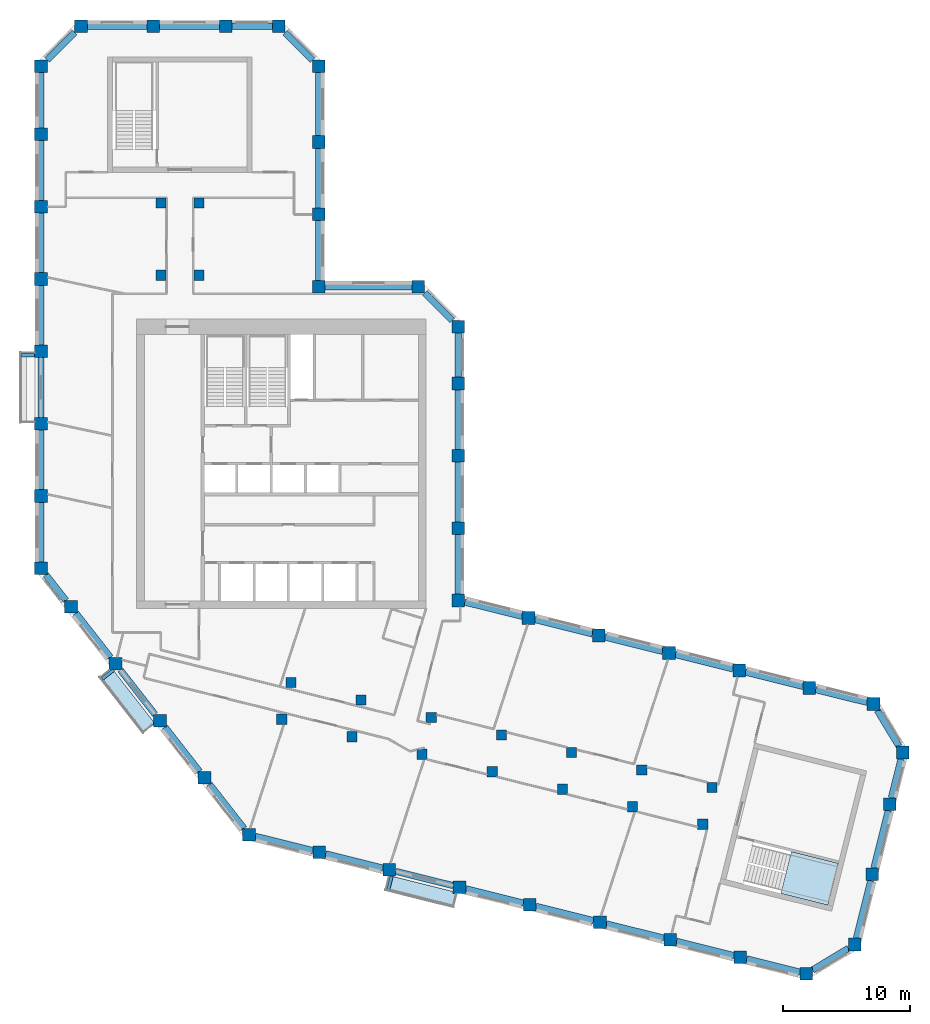
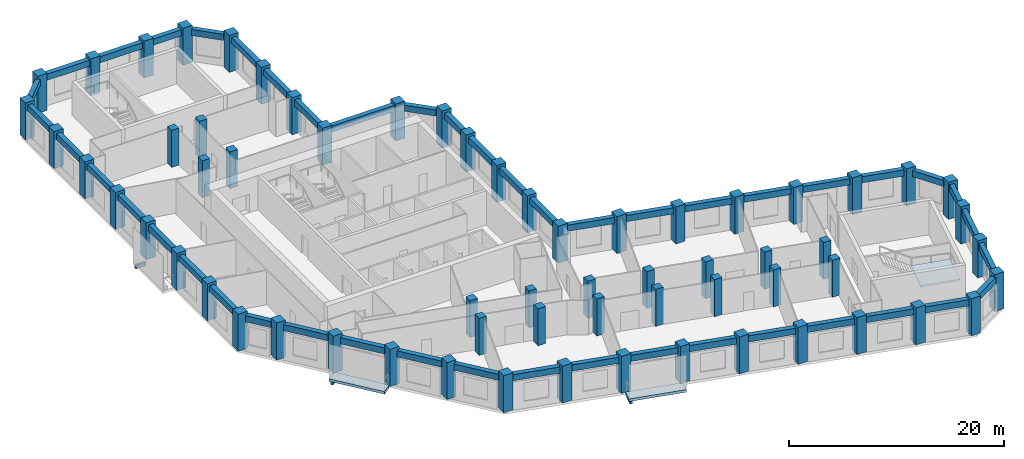
# One storey, part 1 of 9: 63 columns, 48 beams, 3 slabs, 1 element without a shape of its own.
"""IFC4 building model written with IfcOpenShell, lengths in metres."""

from ifc_helpers import new_model, si_unit, direction, frame, origin, origin_2d, place, context, subcontext, project, spatial, polyline, rectangle, outline, extrude, material, layer, layer_set, material_profile, profile_set, type_object, element, aggregate, save


model = new_model("IFC4")

# Units and contexts
model_context = context("Model", 3, precision=1e-05, world=origin(), true_north=direction((0.0, 1.0)))
body_context = subcontext(model_context, "Body", "Model", "MODEL_VIEW")
ifc_project = project(units=[si_unit("LENGTHUNIT", "METRE"), si_unit("AREAUNIT", "SQUARE_METRE"), si_unit("VOLUMEUNIT", "CUBIC_METRE"), si_unit("PLANEANGLEUNIT", "RADIAN"), si_unit("MASSUNIT", "GRAM", prefix="KILO")], contexts=[model_context])

# Site, building, storey
site_placement = place(None, origin())
site = spatial("IfcSite", under=ifc_project, at=site_placement, CompositionType="ELEMENT")
building_placement = place(site_placement, origin())
building = spatial("IfcBuilding", under=site, at=building_placement, Name="Meshkara Civic Tower", CompositionType="ELEMENT")
storey_placement = place(building_placement, frame((0.0, 0.0, 331.800048828125)))
storey = spatial("IfcBuildingStorey", under=building, at=storey_placement, Name="L76", CompositionType="ELEMENT", Elevation=331.800048828125)

# Columns
ifc_material_1 = material(Name="Concrete C60", Category="concrete")
ifc_material_profile_1 = material_profile(ifc_material_1, rectangle(XDim=0.800048828125, YDim=0.800048828125, at=origin_2d()))
ifc_profile_set_1 = profile_set([ifc_material_profile_1], Name="Concrete C60")
column_type_1 = type_object("IfcColumnType", Name="Interior column RC 800x800 C60", PredefinedType="COLUMN", material=ifc_profile_set_1)
for number, where, z_axis, x_axis, name in (
    (1, (9.89990234375, 40.35009765625, 0.0), (0.0, 0.0, 1.0), (1.0, 0.0, 0.0), "Column SA1-04 L76"),
    (2, (9.89990234375, 46.050048828125, 0.0), (0.0, 0.0, 1.0), (1.0, 0.0, 0.0), "Column SA1-05 L76"),
    (3, (12.89990234375, 40.35009765625, 0.0), (0.0, 0.0, 1.0), (1.0, 0.0, 0.0), "Column SA2-04 L76"),
    (4, (12.89990234375, 46.050048828125, 0.0), (0.0, 0.0, 1.0), (1.0, 0.0, 0.0), "Column SA2-05 L76"),
    (5, (19.424072265625, 5.360107421875, 0.0), (0.0, 0.0, 1.0), (1.0, 0.0, 0.0), "Column SB1-00 L76"),
    (6, (24.9541015625, 3.98095703125, 0.0), (0.0, 0.0, 1.0), (1.0, 0.0, 0.0), "Column SB1-01 L76"),
    (7, (30.485107421875, 2.60205078125, 0.0), (0.0, 0.0, 1.0), (1.0, 0.0, 0.0), "Column SB1-02 L76"),
    (8, (36.01611328125, 1.222900390625, 0.0), (0.0, 0.0, 1.0), (1.0, 0.0, 0.0), "Column SB1-03 L76"),
    (9, (41.5458984375, -0.156005859375, 0.0), (0.0, 0.0, 1.0), (1.0, 0.0, 0.0), "Column SB1-04 L76"),
    (10, (47.076904296875, -1.534912109375, 0.0), (0.0, 0.0, 1.0), (1.0, 0.0, 0.0), "Column SB1-05 L76"),
    (11, (52.60791015625, -2.9140625, 0.0), (0.0, 0.0, 1.0), (1.0, 0.0, 0.0), "Column SB1-06 L76"),
    (12, (20.14892578125, 8.27099609375, 0.0), (0.0, 0.0, 1.0), (1.0, 0.0, 0.0), "Column SB2-00 L76"),
    (13, (25.679931640625, 6.89208984375, 0.0), (0.0, 0.0, 1.0), (1.0, 0.0, 0.0), "Column SB2-01 L76"),
    (14, (31.2109375, 5.512939453125, 0.0), (0.0, 0.0, 1.0), (1.0, 0.0, 0.0), "Column SB2-02 L76"),
    (15, (36.741943359375, 4.134033203125, 0.0), (0.0, 0.0, 1.0), (1.0, 0.0, 0.0), "Column SB2-03 L76"),
    (16, (42.27197265625, 2.7548828125, 0.0), (0.0, 0.0, 1.0), (1.0, 0.0, 0.0), "Column SB2-04 L76"),
    (17, (47.802978515625, 1.3759765625, 0.0), (0.0, 0.0, 1.0), (1.0, 0.0, 0.0), "Column SB2-05 L76"),
    (18, (53.333984375, -0.0029296875, 0.0), (0.0, 0.0, 1.0), (1.0, 0.0, 0.0), "Column SB2-06 L76"),
):
    element("IfcColumn", number, at=place(storey_placement, frame(where, z_axis=z_axis, x_axis=x_axis)), inside=storey, type_object=column_type_1, Name=name, PredefinedType="COLUMN", context=body_context, shape_type="SweptSolid", body=[
        extrude(rectangle(XDim=0.800048828125, YDim=0.800048828125, at=origin_2d()), origin(), (0.0, 0.0, 1.0), 4.199951171875),
    ])
ifc_material_2 = material(Name="Concrete C60", Category="concrete")
ifc_material_profile_2 = material_profile(ifc_material_2, rectangle(XDim=1.0, YDim=1.0, at=origin_2d()))
ifc_profile_set_2 = profile_set([ifc_material_profile_2], Name="Concrete C60")
column_type_2 = type_object("IfcColumnType", Name="Perimeter column RC 1000x1000 C60", PredefinedType="COLUMN", material=ifc_profile_set_2)
for number, where, z_axis, x_axis, name in (
    (19, (33.35009765625, 14.718994140625, 0.0), (0.0, 0.0, 1.0), (1.0, 0.0, 0.0), "Column HE00 L76"),
    (20, (33.35009765625, 20.4189453125, 0.0), (0.0, 0.0, 1.0), (1.0, 0.0, 0.0), "Column HE01 L76"),
    (21, (33.35009765625, 26.118896484375, 0.0), (0.0, 0.0, 1.0), (1.0, 0.0, 0.0), "Column HE02 L76"),
    (22, (33.35009765625, 31.819091796875, 0.0), (0.0, 0.0, 1.0), (1.0, 0.0, 0.0), "Column HE03 L76"),
    (23, (33.35009765625, 36.2939453125, 0.0), (0.0, 0.0, 1.0), (1.0, 0.0, 0.0), "Column HEE L76"),
    (24, (30.194091796875, 39.449951171875, 0.0), (0.0, 0.0, 1.0), (1.0, 0.0, 0.0), "Column HCeE L76"),
    (25, (22.35009765625, 39.449951171875, 0.0), (0.0, 0.0, 1.0), (1.0, 0.0, 0.0), "Column HN00 L76"),
    (26, (22.35009765625, 45.14990234375, 0.0), (0.0, 0.0, 1.0), (1.0, 0.0, 0.0), "Column AE01 L76"),
    (27, (22.35009765625, 50.85009765625, 0.0), (0.0, 0.0, 1.0), (1.0, 0.0, 0.0), "Column AE02 L76"),
    (28, (22.35009765625, 56.81396484375, 0.0), (0.0, 0.0, 1.0), (1.0, 0.0, 0.0), "Column AEEP4 L76"),
    (29, (19.194091796875, 59.969970703125, 0.0), (0.0, 0.0, 1.0), (1.0, 0.0, 0.0), "Column ATiEP4 L76"),
    (30, (3.60595703125, 59.969970703125, 0.0), (0.0, 0.0, 1.0), (1.0, 0.0, 0.0), "Column AT00-P4 L76"),
    (31, (9.305908203125, 59.969970703125, 0.0), (0.0, 0.0, 1.0), (1.0, 0.0, 0.0), "Column AT01-P4 L76"),
    (32, (15.006103515625, 59.969970703125, 0.0), (0.0, 0.0, 1.0), (1.0, 0.0, 0.0), "Column AT02-P4 L76"),
    (33, (0.449951171875, 56.81396484375, 0.0), (0.0, 0.0, 1.0), (1.0, 0.0, 0.0), "Column ATo00-P4 L76"),
    (34, (0.449951171875, 17.2548828125, 0.0), (0.0, 0.0, 1.0), (1.0, 0.0, 0.0), "Column AW00 L76"),
    (35, (0.449951171875, 22.955078125, 0.0), (0.0, 0.0, 1.0), (1.0, 0.0, 0.0), "Column AW01 L76"),
    (36, (0.449951171875, 28.655029296875, 0.0), (0.0, 0.0, 1.0), (1.0, 0.0, 0.0), "Column AW02 L76"),
    (37, (0.449951171875, 34.35498046875, 0.0), (0.0, 0.0, 1.0), (1.0, 0.0, 0.0), "Column AW03 L76"),
    (38, (0.449951171875, 40.054931640625, 0.0), (0.0, 0.0, 1.0), (1.0, 0.0, 0.0), "Column AW04 L76"),
    (39, (0.449951171875, 45.7548828125, 0.0), (0.0, 0.0, 1.0), (1.0, 0.0, 0.0), "Column AW05 L76"),
    (40, (0.449951171875, 51.455078125, 0.0), (0.0, 0.0, 1.0), (1.0, 0.0, 0.0), "Column AW06 L76"),
    (41, (16.85107421875, -3.738037109375, 0.0), (0.0, 0.0, 1.0), (1.0, 0.0, 0.0), "Column BOW00 L76"),
    (42, (13.342041015625, 0.75390625, 0.0), (0.0, 0.0, 1.0), (1.0, 0.0, 0.0), "Column BOW01 L76"),
    (43, (9.8330078125, 5.2451171875, 0.0), (0.0, 0.0, 1.0), (1.0, 0.0, 0.0), "Column BOW02 L76"),
    (44, (6.322998046875, 9.737060546875, 0.0), (0.0, 0.0, 1.0), (1.0, 0.0, 0.0), "Column BOW03 L76"),
    (45, (2.81396484375, 14.22900390625, 0.0), (0.0, 0.0, 1.0), (1.0, 0.0, 0.0), "Column BOW04 L76"),
    (46, (22.382080078125, -5.116943359375, 0.0), (0.0, 0.0, 1.0), (1.0, 0.0, 0.0), "Column BS01 L76"),
    (47, (27.912109375, -6.49609375, 0.0), (0.0, 0.0, 1.0), (1.0, 0.0, 0.0), "Column BS02 L76"),
    (48, (33.443115234375, -7.875, 0.0), (0.0, 0.0, 1.0), (1.0, 0.0, 0.0), "Column BS03 L76"),
    (49, (38.97412109375, -9.25390625, 0.0), (0.0, 0.0, 1.0), (1.0, 0.0, 0.0), "Column BS04 L76"),
    (50, (44.50390625, -10.633056640625, 0.0), (0.0, 0.0, 1.0), (1.0, 0.0, 0.0), "Column BS05-P4 L76"),
    (51, (50.034912109375, -12.011962890625, 0.0), (0.0, 0.0, 1.0), (1.0, 0.0, 0.0), "Column BS06-P4 L76"),
    (52, (55.56591796875, -13.389892578125, 0.0), (0.0, 0.0, 1.0), (1.0, 0.0, 0.0), "Column BS07 L76"),
    (53, (60.76611328125, -14.68701171875, 0.0), (0.0, 0.0, 1.0), (1.0, 0.0, 0.0), "Column BSEP4 L76"),
    (54, (64.591064453125, -12.386962890625, 0.0), (0.0, 0.0, 1.0), (1.0, 0.0, 0.0), "Column BToEP4 L76"),
    (55, (65.969970703125, -6.85595703125, 0.0), (0.0, 0.0, 1.0), (1.0, 0.0, 0.0), "Column BT01-P4 L76"),
    (56, (67.34912109375, -1.325927734375, 0.0), (0.0, 0.0, 1.0), (1.0, 0.0, 0.0), "Column BT02-P4 L76"),
    (57, (68.362060546875, 2.736083984375, 0.0), (0.0, 0.0, 1.0), (1.0, 0.0, 0.0), "Column BTEP4 L76"),
    (58, (66.06298828125, 6.56201171875, 0.0), (0.0, 0.0, 1.0), (1.0, 0.0, 0.0), "Column BTi00-P4 L76"),
    (59, (38.881103515625, 13.340087890625, 0.0), (0.0, 0.0, 1.0), (1.0, 0.0, 0.0), "Column BN01 L76"),
    (60, (44.410888671875, 11.9609375, 0.0), (0.0, 0.0, 1.0), (1.0, 0.0, 0.0), "Column BN02 L76"),
    (61, (49.94189453125, 10.58203125, 0.0), (0.0, 0.0, 1.0), (1.0, 0.0, 0.0), "Column BN03 L76"),
    (62, (55.472900390625, 9.202880859375, 0.0), (0.0, 0.0, 1.0), (1.0, 0.0, 0.0), "Column BN04 L76"),
    (63, (61.0029296875, 7.823974609375, 0.0), (0.0, 0.0, 1.0), (1.0, 0.0, 0.0), "Column BN05 L76"),
):
    element("IfcColumn", number, at=place(storey_placement, frame(where, z_axis=z_axis, x_axis=x_axis)), inside=storey, type_object=column_type_2, Name=name, PredefinedType="COLUMN", context=body_context, shape_type="SweptSolid", body=[
        extrude(rectangle(XDim=1.0, YDim=1.0, at=origin_2d()), origin(), (0.0, 0.0, 1.0), 4.199951171875),
    ])

# Beams
ifc_material_3 = material(Name="Concrete C50", Category="concrete")
ifc_material_profile_3 = material_profile(ifc_material_3, rectangle(XDim=0.25, YDim=0.39990234375, at=origin_2d()))
ifc_profile_set_3 = profile_set([ifc_material_profile_3], Name="Concrete C50")
beam_type_1 = type_object("IfcBeamType", Name="Balcony bracket beam RC 250x400 C50", PredefinedType="BEAM", material=ifc_profile_set_3)
beam_1_placement = place(storey_placement, frame((-0.044921875, 34.054931640625, -0.5), z_axis=(-1.0, 0.0, 0.0), x_axis=(0.0, -1.0, 0.0)))
element("IfcBeam", 64, at=beam_1_placement, inside=storey, type_object=beam_type_1, Name="Balcony bracket beam", PredefinedType="BEAM", context=body_context, shape_type="SweptSolid", body=[
    extrude(rectangle(XDim=0.25, YDim=0.39990234375, at=origin_2d()), origin(), (0.0, 0.0, 1.0), 1.05517578125),
])
beam_2_placement = place(storey_placement, frame((6.174072265625, 9.239990234375, -0.5), z_axis=(-0.788053970136, -0.615606156688, 0.0), x_axis=(0.615606156688, -0.788053970136, 0.0)))
element("IfcBeam", 65, at=beam_2_placement, inside=storey, type_object=beam_type_1, Name="Balcony bracket beam", PredefinedType="BEAM", context=body_context, shape_type="SweptSolid", body=[
    extrude(rectangle(XDim=0.25, YDim=0.39990234375, at=origin_2d()), origin(), (0.0, 0.0, 1.0), 1.12548828125),
])
beam_3_placement = place(storey_placement, frame((28.097900390625, -6.990966796875, -0.5), z_axis=(-0.242329403705, -0.970194032192, 0.0), x_axis=(0.970194032192, -0.242329403705, 0.0)))
element("IfcBeam", 66, at=beam_3_placement, inside=storey, type_object=beam_type_1, Name="Balcony bracket beam", PredefinedType="BEAM", context=body_context, shape_type="SweptSolid", body=[
    extrude(rectangle(XDim=0.25, YDim=0.39990234375, at=origin_2d()), origin(), (0.0, 0.0, 1.0), 1.1142578125),
])
ifc_material_4 = material(Name="Concrete C50", Category="concrete")
ifc_material_profile_4 = material_profile(ifc_material_4, rectangle(XDim=0.5, YDim=0.699951171875, at=origin_2d()))
ifc_profile_set_4 = profile_set([ifc_material_profile_4], Name="Concrete C50")
beam_type_2 = type_object("IfcBeamType", Name="Spandrel beam RC 500x700 C50", PredefinedType="BEAM", material=ifc_profile_set_4)
beam_4_placement = place(storey_placement, frame((60.5078125, 7.947509765625, 3.550048828125), z_axis=(-0.970286590806, 0.241958533023, 0.0), x_axis=(-0.241958533023, -0.970286590806, 0.0)))
element("IfcBeam", 67, at=beam_4_placement, inside=storey, type_object=beam_type_2, Name="Spandrel beam BN04-BN05", PredefinedType="BEAM", context=body_context, shape_type="SweptSolid", body=[
    extrude(rectangle(XDim=0.5, YDim=0.699951171875, at=origin_2d()), origin(), (0.0, 0.0, 1.0), 4.6787109375),
])
beam_5_placement = place(storey_placement, frame((54.977783203125, 9.326416015625, 3.550048828125), z_axis=(-0.970298806378, 0.241909541651, 0.0), x_axis=(-0.241909541651, -0.970298806378, 0.0)))
element("IfcBeam", 68, at=beam_5_placement, inside=storey, type_object=beam_type_2, Name="Spandrel beam BN03-BN04", PredefinedType="BEAM", context=body_context, shape_type="SweptSolid", body=[
    extrude(rectangle(XDim=0.5, YDim=0.699951171875, at=origin_2d()), origin(), (0.0, 0.0, 1.0), 4.6796875),
])
beam_6_placement = place(storey_placement, frame((49.447021484375, 10.70556640625, 3.550048828125), z_axis=(-0.970314102262, 0.241848181618, 0.0), x_axis=(-0.241848181618, -0.970314102262, 0.0)))
element("IfcBeam", 69, at=beam_6_placement, inside=storey, type_object=beam_type_2, Name="Spandrel beam BN02-BN03", PredefinedType="BEAM", context=body_context, shape_type="SweptSolid", body=[
    extrude(rectangle(XDim=0.5, YDim=0.699951171875, at=origin_2d()), origin(), (0.0, 0.0, 1.0), 4.679931640625),
])
beam_7_placement = place(storey_placement, frame((43.916015625, 12.08447265625, 3.550048828125), z_axis=(-0.970286590806, 0.241958533023, 0.0), x_axis=(-0.241958533023, -0.970286590806, 0.0)))
element("IfcBeam", 70, at=beam_7_placement, inside=storey, type_object=beam_type_2, Name="Spandrel beam BN01-BN02", PredefinedType="BEAM", context=body_context, shape_type="SweptSolid", body=[
    extrude(rectangle(XDim=0.5, YDim=0.699951171875, at=origin_2d()), origin(), (0.0, 0.0, 1.0), 4.6787109375),
])
beam_8_placement = place(storey_placement, frame((38.385986328125, 13.46337890625, 3.550048828125), z_axis=(-0.970298806378, 0.241909541651, 0.0), x_axis=(-0.241909541651, -0.970298806378, 0.0)))
element("IfcBeam", 71, at=beam_8_placement, inside=storey, type_object=beam_type_2, Name="Spandrel beam BN01-HE00", PredefinedType="BEAM", context=body_context, shape_type="SweptSolid", body=[
    extrude(rectangle(XDim=0.5, YDim=0.699951171875, at=origin_2d()), origin(), (0.0, 0.0, 1.0), 4.6796875),
])
for number, where, z_axis, x_axis, name in (
    (72, (33.35009765625, 15.214111328125, 3.550048828125), (0.0, 1.0, 0.0), (-1.0, 0.0, 0.0), "Spandrel beam HE00-HE01"),
    (73, (33.35009765625, 20.9140625, 3.550048828125), (0.0, 1.0, 0.0), (-1.0, 0.0, 0.0), "Spandrel beam HE01-HE02"),
    (74, (33.35009765625, 26.614013671875, 3.550048828125), (0.0, 1.0, 0.0), (-1.0, 0.0, 0.0), "Spandrel beam HE02-HE03"),
):
    element("IfcBeam", number, at=place(storey_placement, frame(where, z_axis=z_axis, x_axis=x_axis)), inside=storey, type_object=beam_type_2, Name=name, PredefinedType="BEAM", context=body_context, shape_type="SweptSolid", body=[
        extrude(rectangle(XDim=0.5, YDim=0.699951171875, at=origin_2d()), origin(), (0.0, 0.0, 1.0), 4.7099609375),
    ])
beam_9_placement = place(storey_placement, frame((33.35009765625, 32.31396484375, 3.550048828125), z_axis=(0.0, 1.0, 0.0), x_axis=(-1.0, 0.0, 0.0)))
element("IfcBeam", 75, at=beam_9_placement, inside=storey, type_object=beam_type_2, Name="Spandrel beam HE03-HEE", PredefinedType="BEAM", context=body_context, shape_type="SweptSolid", body=[
    extrude(rectangle(XDim=0.5, YDim=0.699951171875, at=origin_2d()), origin(), (0.0, 0.0, 1.0), 3.485107421875),
])
beam_10_placement = place(storey_placement, frame((32.853515625, 36.79052734375, 3.550048828125), z_axis=(-0.707106781187, 0.707106781187, 0.0), x_axis=(-0.707106781187, -0.707106781187, 0.0)))
element("IfcBeam", 76, at=beam_10_placement, inside=storey, type_object=beam_type_2, Name="Spandrel beam HCeE-HEE", PredefinedType="BEAM", context=body_context, shape_type="SweptSolid", body=[
    extrude(rectangle(XDim=0.5, YDim=0.699951171875, at=origin_2d()), origin(), (0.0, 0.0, 1.0), 3.05908203125),
])
beam_11_placement = place(storey_placement, frame((29.698974609375, 39.449951171875, 3.550048828125), z_axis=(-1.0, 0.0, 0.0), x_axis=(0.0, -1.0, 0.0)))
element("IfcBeam", 77, at=beam_11_placement, inside=storey, type_object=beam_type_2, Name="Spandrel beam HCeE-HN00", PredefinedType="BEAM", context=body_context, shape_type="SweptSolid", body=[
    extrude(rectangle(XDim=0.5, YDim=0.699951171875, at=origin_2d()), origin(), (0.0, 0.0, 1.0), 6.85400390625),
])
for number, where, z_axis, x_axis, name in (
    (78, (22.35009765625, 39.945068359375, 3.550048828125), (0.0, 1.0, 0.0), (-1.0, 0.0, 0.0), "Spandrel beam AE01-HN00"),
    (79, (22.35009765625, 45.64501953125, 3.550048828125), (0.0, 1.0, 0.0), (-1.0, 0.0, 0.0), "Spandrel beam AE01-AE02"),
):
    element("IfcBeam", number, at=place(storey_placement, frame(where, z_axis=z_axis, x_axis=x_axis)), inside=storey, type_object=beam_type_2, Name=name, PredefinedType="BEAM", context=body_context, shape_type="SweptSolid", body=[
        extrude(rectangle(XDim=0.5, YDim=0.699951171875, at=origin_2d()), origin(), (0.0, 0.0, 1.0), 4.7099609375),
    ])
beam_12_placement = place(storey_placement, frame((22.35009765625, 51.344970703125, 3.550048828125), z_axis=(0.0, 1.0, 0.0), x_axis=(-1.0, 0.0, 0.0)))
element("IfcBeam", 80, at=beam_12_placement, inside=storey, type_object=beam_type_2, Name="Spandrel beam AE02-AEEP4", PredefinedType="BEAM", context=body_context, shape_type="SweptSolid", body=[
    extrude(rectangle(XDim=0.5, YDim=0.699951171875, at=origin_2d()), origin(), (0.0, 0.0, 1.0), 4.97412109375),
])
beam_13_placement = place(storey_placement, frame((21.853515625, 57.310546875, 3.550048828125), z_axis=(-0.707146686758, 0.707066873363, 0.0), x_axis=(-0.707066873363, -0.707146686758, 0.0)))
element("IfcBeam", 81, at=beam_13_placement, inside=storey, type_object=beam_type_2, Name="Spandrel beam AEEP4-ATiEP4", PredefinedType="BEAM", context=body_context, shape_type="SweptSolid", body=[
    extrude(rectangle(XDim=0.5, YDim=0.699951171875, at=origin_2d()), origin(), (0.0, 0.0, 1.0), 3.058837890625),
])
beam_14_placement = place(storey_placement, frame((18.698974609375, 59.969970703125, 3.550048828125), z_axis=(-1.0, 0.0, 0.0), x_axis=(0.0, -1.0, 0.0)))
element("IfcBeam", 82, at=beam_14_placement, inside=storey, type_object=beam_type_2, Name="Spandrel beam AT02-P4-ATiEP4", PredefinedType="BEAM", context=body_context, shape_type="SweptSolid", body=[
    extrude(rectangle(XDim=0.5, YDim=0.699951171875, at=origin_2d()), origin(), (0.0, 0.0, 1.0), 3.197998046875),
])
for number, where, z_axis, x_axis, name in (
    (83, (14.510986328125, 59.969970703125, 3.550048828125), (-1.0, 0.0, 0.0), (0.0, -1.0, 0.0), "Spandrel beam AT01-P4-AT02-P4"),
    (84, (8.81103515625, 59.969970703125, 3.550048828125), (-1.0, 0.0, 0.0), (0.0, -1.0, 0.0), "Spandrel beam AT00-P4-AT01-P4"),
):
    element("IfcBeam", number, at=place(storey_placement, frame(where, z_axis=z_axis, x_axis=x_axis)), inside=storey, type_object=beam_type_2, Name=name, PredefinedType="BEAM", context=body_context, shape_type="SweptSolid", body=[
        extrude(rectangle(XDim=0.5, YDim=0.699951171875, at=origin_2d()), origin(), (0.0, 0.0, 1.0), 4.7099609375),
    ])
beam_15_placement = place(storey_placement, frame((3.109619140625, 59.473388671875, 3.550048828125), z_axis=(-0.707146686758, -0.707066873363, 0.0), x_axis=(0.707066873363, -0.707146686758, 0.0)))
element("IfcBeam", 85, at=beam_15_placement, inside=storey, type_object=beam_type_2, Name="Spandrel beam AT00-P4-ATo00-P4", PredefinedType="BEAM", context=body_context, shape_type="SweptSolid", body=[
    extrude(rectangle(XDim=0.5, YDim=0.699951171875, at=origin_2d()), origin(), (0.0, 0.0, 1.0), 3.058837890625),
])
beam_16_placement = place(storey_placement, frame((0.449951171875, 56.319091796875, 3.550048828125), z_axis=(0.0, -1.0, 0.0), x_axis=(1.0, 0.0, 0.0)))
element("IfcBeam", 86, at=beam_16_placement, inside=storey, type_object=beam_type_2, Name="Spandrel beam ATo00-P4-AW06", PredefinedType="BEAM", context=body_context, shape_type="SweptSolid", body=[
    extrude(rectangle(XDim=0.5, YDim=0.699951171875, at=origin_2d()), origin(), (0.0, 0.0, 1.0), 4.369140625),
])
for number, where, z_axis, x_axis, name in (
    (87, (0.449951171875, 50.9599609375, 3.550048828125), (0.0, -1.0, 0.0), (1.0, 0.0, 0.0), "Spandrel beam AW05-AW06"),
    (88, (0.449951171875, 45.260009765625, 3.550048828125), (0.0, -1.0, 0.0), (1.0, 0.0, 0.0), "Spandrel beam AW04-AW05"),
    (89, (0.449951171875, 39.56005859375, 3.550048828125), (0.0, -1.0, 0.0), (1.0, 0.0, 0.0), "Spandrel beam AW03-AW04"),
):
    element("IfcBeam", number, at=place(storey_placement, frame(where, z_axis=z_axis, x_axis=x_axis)), inside=storey, type_object=beam_type_2, Name=name, PredefinedType="BEAM", context=body_context, shape_type="SweptSolid", body=[
        extrude(rectangle(XDim=0.5, YDim=0.699951171875, at=origin_2d()), origin(), (0.0, 0.0, 1.0), 4.7099609375),
    ])
beam_17_placement = place(storey_placement, frame((0.449951171875, 33.860107421875, 3.550048828125), z_axis=(0.0, -1.0, 0.0), x_axis=(1.0, 0.0, 0.0)))
element("IfcBeam", 90, at=beam_17_placement, inside=storey, type_object=beam_type_2, Name="Spandrel beam AW02-AW03", PredefinedType="BEAM", context=body_context, shape_type="SweptSolid", body=[
    extrude(rectangle(XDim=0.5, YDim=0.699951171875, at=origin_2d()), origin(), (0.0, 0.0, 1.0), 4.710205078125),
])
for number, where, z_axis, x_axis, name in (
    (91, (0.449951171875, 28.159912109375, 3.550048828125), (0.0, -1.0, 0.0), (1.0, 0.0, 0.0), "Spandrel beam AW01-AW02"),
    (92, (0.449951171875, 22.4599609375, 3.550048828125), (0.0, -1.0, 0.0), (1.0, 0.0, 0.0), "Spandrel beam AW00-AW01"),
):
    element("IfcBeam", number, at=place(storey_placement, frame(where, z_axis=z_axis, x_axis=x_axis)), inside=storey, type_object=beam_type_2, Name=name, PredefinedType="BEAM", context=body_context, shape_type="SweptSolid", body=[
        extrude(rectangle(XDim=0.5, YDim=0.699951171875, at=origin_2d()), origin(), (0.0, 0.0, 1.0), 4.7099609375),
    ])
beam_18_placement = place(storey_placement, frame((0.83740234375, 16.7587890625, 3.550048828125), z_axis=(0.615713794912, -0.787969874269, 0.0), x_axis=(0.787969874269, 0.615713794912, 0.0)))
element("IfcBeam", 93, at=beam_18_placement, inside=storey, type_object=beam_type_2, Name="Spandrel beam AW00-BOW04", PredefinedType="BEAM", context=body_context, shape_type="SweptSolid", body=[
    extrude(rectangle(XDim=0.5, YDim=0.699951171875, at=origin_2d()), origin(), (0.0, 0.0, 1.0), 2.580810546875),
])
beam_19_placement = place(storey_placement, frame((3.201416015625, 13.73291015625, 3.550048828125), z_axis=(0.615636574491, -0.788030207637, 0.0), x_axis=(0.788030207637, 0.615636574491, 0.0)))
element("IfcBeam", 94, at=beam_19_placement, inside=storey, type_object=beam_type_2, Name="Spandrel beam BOW03-BOW04", PredefinedType="BEAM", context=body_context, shape_type="SweptSolid", body=[
    extrude(rectangle(XDim=0.5, YDim=0.699951171875, at=origin_2d()), origin(), (0.0, 0.0, 1.0), 4.441162109375),
])
beam_20_placement = place(storey_placement, frame((6.710693359375, 9.240966796875, 3.550048828125), z_axis=(0.615704842432, -0.787976869588, 0.0), x_axis=(0.787976869588, 0.615704842432, 0.0)))
element("IfcBeam", 95, at=beam_20_placement, inside=storey, type_object=beam_type_2, Name="Spandrel beam BOW02-BOW03", PredefinedType="BEAM", context=body_context, shape_type="SweptSolid", body=[
    extrude(rectangle(XDim=0.5, YDim=0.699951171875, at=origin_2d()), origin(), (0.0, 0.0, 1.0), 4.44140625),
])
beam_21_placement = place(storey_placement, frame((10.220703125, 4.748779296875, 3.550048828125), z_axis=(0.615674985547, -0.788000198078, 0.0), x_axis=(0.788000198078, 0.615674985547, 0.0)))
element("IfcBeam", 96, at=beam_21_placement, inside=storey, type_object=beam_type_2, Name="Spandrel beam BOW01-BOW02", PredefinedType="BEAM", context=body_context, shape_type="SweptSolid", body=[
    extrude(rectangle(XDim=0.5, YDim=0.699951171875, at=origin_2d()), origin(), (0.0, 0.0, 1.0), 4.440185546875),
])
beam_22_placement = place(storey_placement, frame((13.7294921875, 0.2578125, 3.550048828125), z_axis=(0.615602435322, -0.788056877151, 0.0), x_axis=(0.788056877151, 0.615602435322, 0.0)))
element("IfcBeam", 97, at=beam_22_placement, inside=storey, type_object=beam_type_2, Name="Spandrel beam BOW00-BOW01", PredefinedType="BEAM", context=body_context, shape_type="SweptSolid", body=[
    extrude(rectangle(XDim=0.5, YDim=0.699951171875, at=origin_2d()), origin(), (0.0, 0.0, 1.0), 4.44091796875),
])
beam_23_placement = place(storey_placement, frame((17.34619140625, -3.861572265625, 3.550048828125), z_axis=(0.970311050729, -0.24186042428, 0.0), x_axis=(0.24186042428, 0.970311050729, 0.0)))
element("IfcBeam", 98, at=beam_23_placement, inside=storey, type_object=beam_type_2, Name="Spandrel beam BOW00-BS01", PredefinedType="BEAM", context=body_context, shape_type="SweptSolid", body=[
    extrude(rectangle(XDim=0.5, YDim=0.699951171875, at=origin_2d()), origin(), (0.0, 0.0, 1.0), 4.6796875),
])
beam_24_placement = place(storey_placement, frame((22.877197265625, -5.240478515625, 3.550048828125), z_axis=(0.970286590806, -0.241958533023, 0.0), x_axis=(0.241958533023, 0.970286590806, 0.0)))
element("IfcBeam", 99, at=beam_24_placement, inside=storey, type_object=beam_type_2, Name="Spandrel beam BS01-BS02", PredefinedType="BEAM", context=body_context, shape_type="SweptSolid", body=[
    extrude(rectangle(XDim=0.5, YDim=0.699951171875, at=origin_2d()), origin(), (0.0, 0.0, 1.0), 4.6787109375),
])
for number, where, z_axis, x_axis, name in (
    (100, (28.406982421875, -6.619384765625, 3.550048828125), (0.970301859111, -0.241897296812, 0.0), (0.241897296812, 0.970301859111, 0.0), "Spandrel beam BS02-BS03"),
    (101, (33.93798828125, -7.99853515625, 3.550048828125), (0.970301859111, -0.241897296812, 0.0), (0.241897296812, 0.970301859111, 0.0), "Spandrel beam BS03-BS04"),
):
    element("IfcBeam", number, at=place(storey_placement, frame(where, z_axis=z_axis, x_axis=x_axis)), inside=storey, type_object=beam_type_2, Name=name, PredefinedType="BEAM", context=body_context, shape_type="SweptSolid", body=[
        extrude(rectangle(XDim=0.5, YDim=0.699951171875, at=origin_2d()), origin(), (0.0, 0.0, 1.0), 4.679931640625),
    ])
beam_25_placement = place(storey_placement, frame((39.468994140625, -9.37744140625, 3.550048828125), z_axis=(0.970286590806, -0.241958533023, 0.0), x_axis=(0.241958533023, 0.970286590806, 0.0)))
element("IfcBeam", 102, at=beam_25_placement, inside=storey, type_object=beam_type_2, Name="Spandrel beam BS04-BS05-P4", PredefinedType="BEAM", context=body_context, shape_type="SweptSolid", body=[
    extrude(rectangle(XDim=0.5, YDim=0.699951171875, at=origin_2d()), origin(), (0.0, 0.0, 1.0), 4.6787109375),
])
beam_26_placement = place(storey_placement, frame((44.9990234375, -10.756591796875, 3.550048828125), z_axis=(0.970311050729, -0.24186042428, 0.0), x_axis=(0.24186042428, 0.970311050729, 0.0)))
element("IfcBeam", 103, at=beam_26_placement, inside=storey, type_object=beam_type_2, Name="Spandrel beam BS05-P4-BS06-P4", PredefinedType="BEAM", context=body_context, shape_type="SweptSolid", body=[
    extrude(rectangle(XDim=0.5, YDim=0.699951171875, at=origin_2d()), origin(), (0.0, 0.0, 1.0), 4.6796875),
])
beam_27_placement = place(storey_placement, frame((50.530029296875, -12.135498046875, 3.550048828125), z_axis=(0.970347770718, -0.241713061011, 0.0), x_axis=(0.241713061011, 0.970347770718, 0.0)))
element("IfcBeam", 104, at=beam_27_placement, inside=storey, type_object=beam_type_2, Name="Spandrel beam BS06-P4-BS07", PredefinedType="BEAM", context=body_context, shape_type="SweptSolid", body=[
    extrude(rectangle(XDim=0.5, YDim=0.699951171875, at=origin_2d()), origin(), (0.0, 0.0, 1.0), 4.679443359375),
])
beam_28_placement = place(storey_placement, frame((56.06103515625, -13.513427734375, 3.550048828125), z_axis=(0.970274749447, -0.242006013533, 0.0), x_axis=(0.242006013533, 0.970274749447, 0.0)))
element("IfcBeam", 105, at=beam_28_placement, inside=storey, type_object=beam_type_2, Name="Spandrel beam BS07-BSEP4", PredefinedType="BEAM", context=body_context, shape_type="SweptSolid", body=[
    extrude(rectangle(XDim=0.5, YDim=0.699951171875, at=origin_2d()), origin(), (0.0, 0.0, 1.0), 4.3388671875),
])
beam_29_placement = place(storey_placement, frame((61.26171875, -14.388916015625, 3.550048828125), z_axis=(0.856990838189, 0.515331643953, 0.0), x_axis=(-0.515331643953, 0.856990838189, 0.0)))
element("IfcBeam", 106, at=beam_29_placement, inside=storey, type_object=beam_type_2, Name="Spandrel beam BSEP4-BToEP4", PredefinedType="BEAM", context=body_context, shape_type="SweptSolid", body=[
    extrude(rectangle(XDim=0.5, YDim=0.699951171875, at=origin_2d()), origin(), (0.0, 0.0, 1.0), 3.306396484375),
])
beam_30_placement = place(storey_placement, frame((64.714599609375, -11.891845703125, 3.550048828125), z_axis=(0.24186042428, 0.970311050729, 0.0), x_axis=(-0.970311050729, 0.24186042428, 0.0)))
element("IfcBeam", 107, at=beam_30_placement, inside=storey, type_object=beam_type_2, Name="Spandrel beam BT01-P4-BToEP4", PredefinedType="BEAM", context=body_context, shape_type="SweptSolid", body=[
    extrude(rectangle(XDim=0.5, YDim=0.699951171875, at=origin_2d()), origin(), (0.0, 0.0, 1.0), 4.6796875),
])
beam_31_placement = place(storey_placement, frame((66.093505859375, -6.36083984375, 3.550048828125), z_axis=(0.241958533023, 0.970286590806, 0.0), x_axis=(-0.970286590806, 0.241958533023, 0.0)))
element("IfcBeam", 108, at=beam_31_placement, inside=storey, type_object=beam_type_2, Name="Spandrel beam BT01-P4-BT02-P4", PredefinedType="BEAM", context=body_context, shape_type="SweptSolid", body=[
    extrude(rectangle(XDim=0.5, YDim=0.699951171875, at=origin_2d()), origin(), (0.0, 0.0, 1.0), 4.6787109375),
])
beam_32_placement = place(storey_placement, frame((67.472412109375, -0.830810546875, 3.550048828125), z_axis=(0.241991235859, 0.970278435176, 0.0), x_axis=(-0.970278435176, 0.241991235859, 0.0)))
element("IfcBeam", 109, at=beam_32_placement, inside=storey, type_object=beam_type_2, Name="Spandrel beam BT02-P4-BTEP4", PredefinedType="BEAM", context=body_context, shape_type="SweptSolid", body=[
    extrude(rectangle(XDim=0.5, YDim=0.699951171875, at=origin_2d()), origin(), (0.0, 0.0, 1.0), 3.165771484375),
])
beam_33_placement = place(storey_placement, frame((68.064208984375, 3.231689453125, 3.550048828125), z_axis=(-0.515060169575, 0.8571540245, 0.0), x_axis=(-0.8571540245, -0.515060169575, 0.0)))
element("IfcBeam", 110, at=beam_33_placement, inside=storey, type_object=beam_type_2, Name="Spandrel beam BTEP4-BTi00-P4", PredefinedType="BEAM", context=body_context, shape_type="SweptSolid", body=[
    extrude(rectangle(XDim=0.5, YDim=0.699951171875, at=origin_2d()), origin(), (0.0, 0.0, 1.0), 3.30712890625),
])
beam_34_placement = place(storey_placement, frame((65.56787109375, 6.685546875, 3.550048828125), z_axis=(-0.970286131512, 0.241960374847, 0.0), x_axis=(-0.241960374847, -0.970286131512, 0.0)))
element("IfcBeam", 111, at=beam_34_placement, inside=storey, type_object=beam_type_2, Name="Spandrel beam BN05-BTi00-P4", PredefinedType="BEAM", context=body_context, shape_type="SweptSolid", body=[
    extrude(rectangle(XDim=0.5, YDim=0.699951171875, at=origin_2d()), origin(), (0.0, 0.0, 1.0), 4.1943359375),
])

# Slabs
ifc_material_5 = material(Name="Concrete C40", Category="concrete")
ifc_layer_1 = layer(ifc_material_5, 0.300048828125)
ifc_layer_set_1 = layer_set([ifc_layer_1], Name="BALCONY SLAB")
slab_type_1 = type_object("IfcSlabType", Name="BALCONY SLAB", PredefinedType="FLOOR", material=ifc_layer_set_1)
slab_1_placement = place(storey_placement, frame((0.0, 0.0, -0.300048828125)))
element("IfcSlab", 112, at=slab_1_placement, inside=storey, type_object=slab_type_1, Name="Balcony slab", PredefinedType="FLOOR", context=body_context, shape_type="SweptSolid", body=[
    extrude(outline(polyline([(8.49609375, 4.27587890625), (5.06005859375, 8.674072265625), (5.822998046875, 9.27001953125), (5.822998046875, 9.237060546875), (6.14306640625, 9.237060546875), (9.3330078125, 5.154052734375), (9.3330078125, 4.930908203125), (8.49609375, 4.27587890625)])), origin(), (0.0, 0.0, 1.0), 0.300048828125),
])
slab_2_placement = place(storey_placement, frame((0.0, 0.0, -0.300048828125)))
element("IfcSlab", 113, at=slab_2_placement, inside=storey, type_object=slab_type_1, Name="Balcony slab", PredefinedType="FLOOR", context=body_context, shape_type="SweptSolid", body=[
    extrude(outline(polyline([(32.986083984375, -9.4609375), (27.571044921875, -8.111083984375), (27.84912109375, -6.99609375), (28.05908203125, -6.99609375), (32.943115234375, -8.214111328125), (32.943115234375, -8.375), (33.256103515625, -8.375), (32.986083984375, -9.4609375)])), origin(), (0.0, 0.0, 1.0), 0.300048828125),
])

# Stair, slab
ifc_material_6 = material(Name="Precast concrete C40/50", Category="concrete")
stair_type = type_object("IfcStairType", Name="Exit stair half-turn 24 risers precast", PredefinedType="HALF_TURN_STAIR", material=ifc_material_6)
stair_placement = place(storey_placement, origin())
stair = element("IfcStair", 114, at=stair_placement, inside=storey, type_object=stair_type, Name="L76 exit stair B from L65", PredefinedType="HALF_TURN_STAIR")
ifc_material_7 = material(Name="Precast concrete C40/50", Category="concrete")
ifc_layer_2 = layer(ifc_material_7, 0.199951171875)
ifc_layer_set_2 = layer_set([ifc_layer_2], Name="Exit stair landing 200")
slab_type_2 = type_object("IfcSlabType", Name="Exit stair landing 200", PredefinedType="LANDING", material=ifc_layer_set_2)
slab_3_placement = place(storey_placement, frame((0.0, 0.0, 1.89990234375)))
slab_3 = element("IfcSlab", 115, at=slab_3_placement, type_object=slab_type_2, Name="ESB5 landing 1", PredefinedType="LANDING", context=body_context, shape_type="SweptSolid", body=[
    extrude(outline(polyline([(58.769775390625, -8.366943359375), (62.477783203125, -9.2919921875), (63.301025390625, -5.991943359375), (59.593017578125, -5.06689453125), (58.769775390625, -8.366943359375)])), origin(), (0.0, 0.0, 1.0), 0.199951171875),
])
aggregate(stair, [slab_3])

save(model, "model.ifc")
